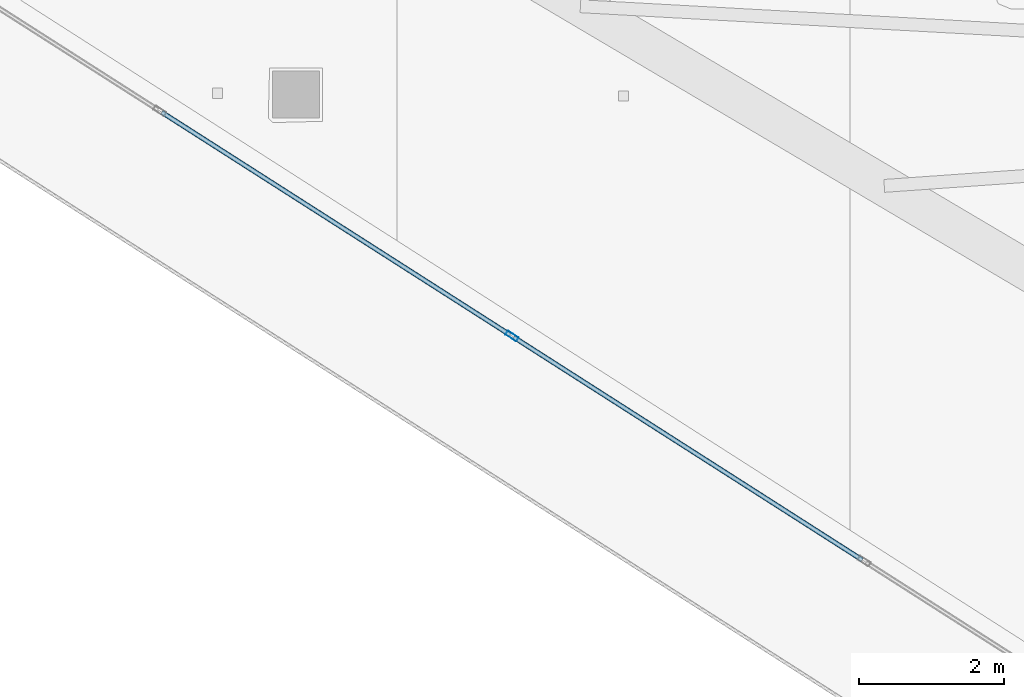
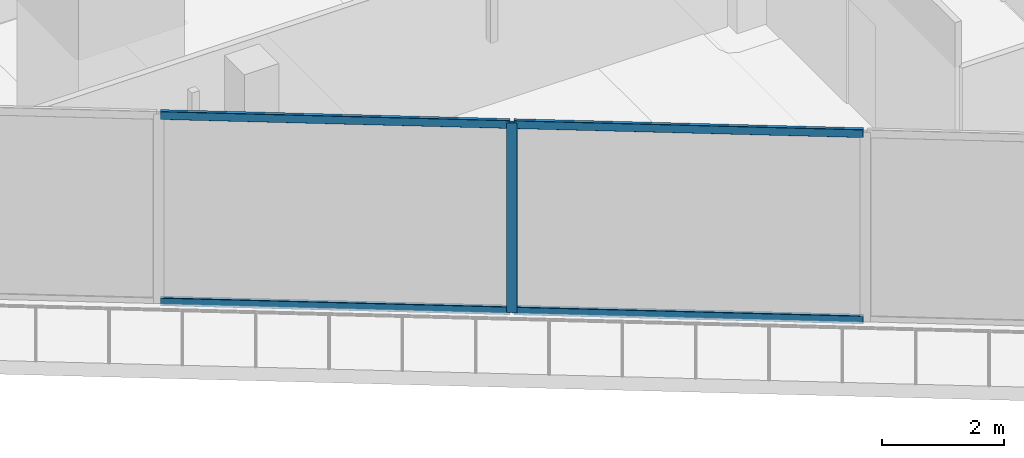
# One storey, part 5 of 37: 5 members, 1 element without a shape of its own.
"""IFC4 building model written with IfcOpenShell, lengths in metres."""

from ifc_helpers import new_model, si_unit, direction, frame, origin, origin_2d, place, context, subcontext, project, spatial, hollow_rectangle, extrude, material, layer, layer_set, material_profile, profile_set, type_object, element, aggregate, save


model = new_model("IFC4")

# Units and contexts
model_context = context("Model", 3, precision=1e-05, world=origin(), true_north=direction((0.0, 1.0)))
body_context = subcontext(model_context, "Body", "Model", "MODEL_VIEW")
ifc_project = project(units=[si_unit("LENGTHUNIT", "METRE"), si_unit("AREAUNIT", "SQUARE_METRE"), si_unit("VOLUMEUNIT", "CUBIC_METRE"), si_unit("PLANEANGLEUNIT", "RADIAN"), si_unit("MASSUNIT", "GRAM", prefix="KILO")], contexts=[model_context])

# Site, building, storey
site_placement = place(None, origin())
site = spatial("IfcSite", under=ifc_project, at=site_placement, CompositionType="ELEMENT")
building_placement = place(site_placement, origin())
building = spatial("IfcBuilding", under=site, at=building_placement, Name="Qorvath Tower", CompositionType="ELEMENT")
storey_placement = place(building_placement, frame((0.0, 0.0, 184.800048828125)))
storey = spatial("IfcBuildingStorey", under=building, at=storey_placement, Name="L42", CompositionType="ELEMENT", Elevation=184.800048828125)

# Curtain wall, members
ifc_material_1 = material(Name="Anodised aluminium and triple low-E glass", Category="aluminium")
ifc_layer = layer(ifc_material_1, 0.179931640625)
ifc_layer_set = layer_set([ifc_layer], Name="CW-SYS-3")
curtain_wall_type = type_object("IfcCurtainWallType", Name="CW-SYS-3", PredefinedType="NOTDEFINED", material=ifc_layer_set)
curtain_wall_placement = place(storey_placement, origin())
curtain_wall = element("IfcCurtainWall", 1, at=curtain_wall_placement, inside=storey, type_object=curtain_wall_type, Name="Curtain Wall CW-3 CW-T-L42-2.1", PredefinedType="NOTDEFINED")
ifc_material_2 = material(Name="Anodised aluminium 6063-T6", Category="aluminium")
ifc_material_profile_1 = material_profile(ifc_material_2, hollow_rectangle(XDim=0.06494140625, YDim=0.179931640625, WallThickness=0.00341796875, InnerFilletRadius=0.00341796875, OuterFilletRadius=0.007080078125, at=origin_2d()), Name="CWM 180x65")
ifc_profile_set_1 = profile_set([ifc_material_profile_1], Name="Anodised aluminium 6063-T6")
member_type_1 = type_object("IfcMemberType", Name="CWM-180", PredefinedType="MULLION", material=ifc_profile_set_1)
member_1_placement = place(storey_placement, frame((-45.595458984375, -9.759765625, 0.0), z_axis=(0.0, 0.0, 1.0), x_axis=(0.53852951489, 0.842606647014, 0.0)))
member_1 = element("IfcMember", 2, at=member_1_placement, type_object=member_type_1, Name="CW-3 mullion 3", PredefinedType="MULLION", context=body_context, shape_type="SweptSolid", body=[
    extrude(hollow_rectangle(XDim=0.06494140625, YDim=0.179931640625, WallThickness=0.00341796875, InnerFilletRadius=0.00341796875, OuterFilletRadius=0.007080078125, at=origin_2d()), origin(), (0.0, 0.0, 1.0), 3.780029296875),
])
ifc_material_3 = material(Name="Anodised aluminium 6063-T6", Category="aluminium")
ifc_material_profile_2 = material_profile(ifc_material_3, hollow_rectangle(XDim=0.06494140625, YDim=0.159912109375, WallThickness=0.00341796875, InnerFilletRadius=0.00341796875, OuterFilletRadius=0.007080078125, at=origin_2d()), Name="CWT 160x65")
ifc_profile_set_2 = profile_set([ifc_material_profile_2], Name="Anodised aluminium 6063-T6")
member_type_2 = type_object("IfcMemberType", Name="CWT-160", PredefinedType="USERDEFINED", material=ifc_profile_set_2)
member_2_placement = place(storey_placement, frame((-50.434326171875, -6.667236328125, 0.032470703125), z_axis=(0.84260356986, -0.538534329509, 0.0), x_axis=(0.538534329509, 0.84260356986, 0.0)))
member_2 = element("IfcMember", 3, at=member_2_placement, type_object=member_type_2, Name="CW-3 transom 2.1", ObjectType="TRANSOM", PredefinedType="USERDEFINED", context=body_context, shape_type="SweptSolid", body=[
    extrude(hollow_rectangle(XDim=0.06494140625, YDim=0.159912109375, WallThickness=0.00341796875, InnerFilletRadius=0.00341796875, OuterFilletRadius=0.007080078125, at=origin_2d()), origin(), (0.0, 0.0, 1.0), 5.710205078125),
])
member_3_placement = place(storey_placement, frame((-50.434326171875, -6.667236328125, 3.74755859375), z_axis=(0.84260356986, -0.538534329509, 0.0), x_axis=(0.538534329509, 0.84260356986, 0.0)))
member_3 = element("IfcMember", 4, at=member_3_placement, type_object=member_type_2, Name="CW-3 transom 2.2", ObjectType="TRANSOM", PredefinedType="USERDEFINED", context=body_context, shape_type="SweptSolid", body=[
    extrude(hollow_rectangle(XDim=0.06494140625, YDim=0.159912109375, WallThickness=0.00341796875, InnerFilletRadius=0.00341796875, OuterFilletRadius=0.007080078125, at=origin_2d()), origin(), (0.0, 0.0, 1.0), 5.710205078125),
])
member_4_placement = place(storey_placement, frame((-45.568115234375, -9.77734375, 0.032470703125), z_axis=(0.84260356986, -0.538534329509, 0.0), x_axis=(0.538534329509, 0.84260356986, 0.0)))
member_4 = element("IfcMember", 5, at=member_4_placement, type_object=member_type_2, Name="CW-3 transom 3.1", ObjectType="TRANSOM", PredefinedType="USERDEFINED", context=body_context, shape_type="SweptSolid", body=[
    extrude(hollow_rectangle(XDim=0.06494140625, YDim=0.159912109375, WallThickness=0.00341796875, InnerFilletRadius=0.00341796875, OuterFilletRadius=0.007080078125, at=origin_2d()), origin(), (0.0, 0.0, 1.0), 5.710205078125),
])
member_5_placement = place(storey_placement, frame((-45.568115234375, -9.77734375, 3.74755859375), z_axis=(0.84260356986, -0.538534329509, 0.0), x_axis=(0.538534329509, 0.84260356986, 0.0)))
member_5 = element("IfcMember", 6, at=member_5_placement, type_object=member_type_2, Name="CW-3 transom 3.2", ObjectType="TRANSOM", PredefinedType="USERDEFINED", context=body_context, shape_type="SweptSolid", body=[
    extrude(hollow_rectangle(XDim=0.06494140625, YDim=0.159912109375, WallThickness=0.00341796875, InnerFilletRadius=0.00341796875, OuterFilletRadius=0.007080078125, at=origin_2d()), origin(), (0.0, 0.0, 1.0), 5.710205078125),
])
aggregate(curtain_wall, [member_1, member_2, member_3, member_4, member_5])

save(model, "model.ifc")
